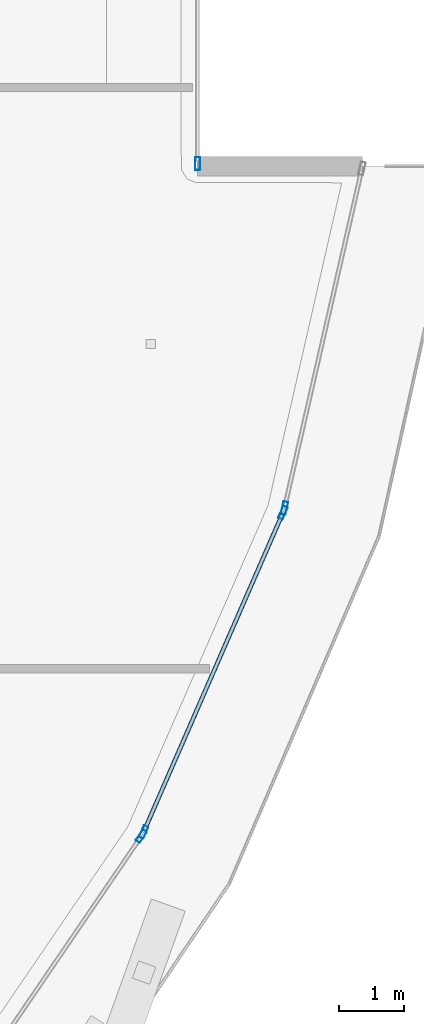
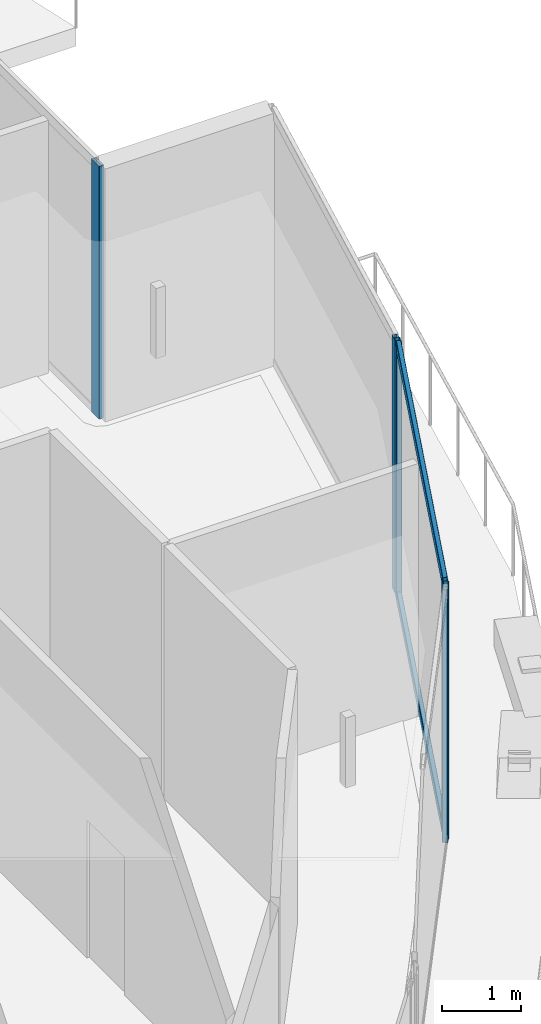
# One storey, part 12 of 36: 7 members, 4 elements without a shape of their own.
"""IFC4 building model written with IfcOpenShell, lengths in metres."""

from ifc_helpers import new_model, si_unit, direction, frame, origin, origin_2d, place, context, subcontext, project, spatial, hollow_rectangle, extrude, material, layer, layer_set, material_profile, profile_set, type_object, element, aggregate, save


model = new_model("IFC4")

# Units and contexts
model_context = context("Model", 3, precision=1e-05, world=origin(), true_north=direction((0.0, 1.0)))
body_context = subcontext(model_context, "Body", "Model", "MODEL_VIEW")
ifc_project = project(units=[si_unit("LENGTHUNIT", "METRE"), si_unit("AREAUNIT", "SQUARE_METRE"), si_unit("VOLUMEUNIT", "CUBIC_METRE"), si_unit("PLANEANGLEUNIT", "RADIAN"), si_unit("MASSUNIT", "GRAM", prefix="KILO")], contexts=[model_context])

# Site, building, storey
site_placement = place(None, origin())
site = spatial("IfcSite", under=ifc_project, at=site_placement, CompositionType="ELEMENT")
building_placement = place(site_placement, origin())
building = spatial("IfcBuilding", under=site, at=building_placement, Name="Qorvath Tower", CompositionType="ELEMENT")
storey_placement = place(building_placement, frame((0.0, 0.0, 272.39990234375)))
storey = spatial("IfcBuildingStorey", under=building, at=storey_placement, Name="L63", CompositionType="ELEMENT", Elevation=272.39990234375)

# Curtain wall, member
ifc_material_1 = material(Name="Anodised aluminium and triple low-E glass", Category="aluminium")
ifc_layer = layer(ifc_material_1, 0.179931640625)
ifc_layer_set = layer_set([ifc_layer], Name="CW-SYS-4")
curtain_wall_type = type_object("IfcCurtainWallType", Name="CW-SYS-4", PredefinedType="NOTDEFINED", material=ifc_layer_set)
curtain_wall_1_placement = place(storey_placement, origin())
curtain_wall_1 = element("IfcCurtainWall", 1, at=curtain_wall_1_placement, inside=storey, type_object=curtain_wall_type, Name="Curtain Wall CW-4 CW-T-L63-5.1", PredefinedType="NOTDEFINED")
ifc_material_2 = material(Name="Anodised aluminium 6063-T6", Category="aluminium")
ifc_material_profile_1 = material_profile(ifc_material_2, hollow_rectangle(XDim=0.074951171875, YDim=0.199951171875, WallThickness=0.00390625, InnerFilletRadius=0.00390625, OuterFilletRadius=0.008056640625, at=origin_2d()), Name="CWM 200x75")
ifc_profile_set_1 = profile_set([ifc_material_profile_1], Name="Anodised aluminium 6063-T6")
member_type_1 = type_object("IfcMemberType", Name="CWM-200", PredefinedType="MULLION", material=ifc_profile_set_1)
member_1_placement = place(storey_placement, frame((-5.402099609375, -14.059814453125, 0.0), z_axis=(0.0, 0.0, 1.0), x_axis=(-0.826318799643, 0.56320266455, 0.0)))
member_1 = element("IfcMember", 2, at=member_1_placement, type_object=member_type_1, Name="CW-4 mullion 2", PredefinedType="MULLION", context=body_context, shape_type="SweptSolid", body=[
    extrude(hollow_rectangle(XDim=0.074951171875, YDim=0.199951171875, WallThickness=0.00390625, InnerFilletRadius=0.00390625, OuterFilletRadius=0.008056640625, at=origin_2d()), origin(), (0.0, 0.0, 1.0), 3.91015625),
])
aggregate(curtain_wall_1, [member_1])

# Curtain wall, members
curtain_wall_2_placement = place(storey_placement, origin())
curtain_wall_2 = element("IfcCurtainWall", 3, at=curtain_wall_2_placement, inside=storey, type_object=curtain_wall_type, Name="Curtain Wall CW-4 CW-T-L63-6.1", PredefinedType="NOTDEFINED")
member_2_placement = place(storey_placement, frame((-5.365966796875, -13.994384765625, 0.0), z_axis=(0.0, 0.0, 1.0), x_axis=(-0.91655883173, 0.399899872441, 0.0)))
member_2 = element("IfcMember", 4, at=member_2_placement, type_object=member_type_1, Name="CW-4 mullion 1", PredefinedType="MULLION", context=body_context, shape_type="SweptSolid", body=[
    extrude(hollow_rectangle(XDim=0.074951171875, YDim=0.199951171875, WallThickness=0.00390625, InnerFilletRadius=0.00390625, OuterFilletRadius=0.008056640625, at=origin_2d()), origin(), (0.0, 0.0, 1.0), 3.91015625),
])
member_3_placement = place(storey_placement, frame((-3.231201171875, -9.10205078125, 0.0), z_axis=(0.0, 0.0, 1.0), x_axis=(-0.91655883173, 0.399899872441, 0.0)))
member_3 = element("IfcMember", 5, at=member_3_placement, type_object=member_type_1, Name="CW-4 mullion 2", PredefinedType="MULLION", context=body_context, shape_type="SweptSolid", body=[
    extrude(hollow_rectangle(XDim=0.074951171875, YDim=0.199951171875, WallThickness=0.00390625, InnerFilletRadius=0.00390625, OuterFilletRadius=0.008056640625, at=origin_2d()), origin(), (0.0, 0.0, 1.0), 3.91015625),
])

# Curtain wall, member
curtain_wall_3_placement = place(storey_placement, origin())
curtain_wall_3 = element("IfcCurtainWall", 6, at=curtain_wall_3_placement, inside=storey, type_object=curtain_wall_type, Name="Curtain Wall CW-4 CW-T-L63-7.1", PredefinedType="NOTDEFINED")
member_4_placement = place(storey_placement, frame((-3.2080078125, -9.031005859375, 0.0), z_axis=(0.0, 0.0, 1.0), x_axis=(-0.974911683446, 0.222592024744, 0.0)))
member_4 = element("IfcMember", 7, at=member_4_placement, type_object=member_type_1, Name="CW-4 mullion 1", PredefinedType="MULLION", context=body_context, shape_type="SweptSolid", body=[
    extrude(hollow_rectangle(XDim=0.074951171875, YDim=0.199951171875, WallThickness=0.00390625, InnerFilletRadius=0.00390625, OuterFilletRadius=0.008056640625, at=origin_2d()), origin(), (0.0, 0.0, 1.0), 3.91015625),
])
aggregate(curtain_wall_3, [member_4])

curtain_wall_4_placement = place(storey_placement, origin())
curtain_wall_4 = element("IfcCurtainWall", 8, at=curtain_wall_4_placement, inside=storey, type_object=curtain_wall_type, Name="Curtain Wall CW-4 CW-T-L63-9.1", PredefinedType="NOTDEFINED")
member_5_placement = place(storey_placement, frame((-4.538818359375, -3.75341796875, 0.0), z_axis=(0.0, 0.0, 1.0), x_axis=(-1.0, 0.0, 0.0)))
member_5 = element("IfcMember", 9, at=member_5_placement, type_object=member_type_1, Name="CW-4 mullion 1", PredefinedType="MULLION", context=body_context, shape_type="SweptSolid", body=[
    extrude(hollow_rectangle(XDim=0.074951171875, YDim=0.199951171875, WallThickness=0.00390625, InnerFilletRadius=0.00390625, OuterFilletRadius=0.008056640625, at=origin_2d()), origin(), (0.0, 0.0, 1.0), 3.91015625),
])
aggregate(curtain_wall_4, [member_5])

# Member
ifc_material_3 = material(Name="Anodised aluminium 6063-T6", Category="aluminium")
ifc_material_profile_2 = material_profile(ifc_material_3, hollow_rectangle(XDim=0.06494140625, YDim=0.159912109375, WallThickness=0.00341796875, InnerFilletRadius=0.00341796875, OuterFilletRadius=0.007080078125, at=origin_2d()), Name="CWT 160x65")
ifc_profile_set_2 = profile_set([ifc_material_profile_2], Name="Anodised aluminium 6063-T6")
member_type_2 = type_object("IfcMemberType", Name="CWT-160", PredefinedType="USERDEFINED", material=ifc_profile_set_2)
member_6_placement = place(storey_placement, frame((-5.350830078125, -13.9599609375, 0.032470703125), z_axis=(0.399879269802, 0.916567820504, 0.0), x_axis=(-0.916567820504, 0.399879269802, 0.0)))
member_6 = element("IfcMember", 10, at=member_6_placement, type_object=member_type_2, Name="CW-4 transom 1.1", ObjectType="TRANSOM", PredefinedType="USERDEFINED", context=body_context, shape_type="SweptSolid", body=[
    extrude(hollow_rectangle(XDim=0.06494140625, YDim=0.159912109375, WallThickness=0.00341796875, InnerFilletRadius=0.00341796875, OuterFilletRadius=0.007080078125, at=origin_2d()), origin(), (0.0, 0.0, 1.0), 5.262939453125),
])

member_7_placement = place(storey_placement, frame((-5.350830078125, -13.9599609375, 3.877685546875), z_axis=(0.399879269802, 0.916567820504, 0.0), x_axis=(-0.916567820504, 0.399879269802, 0.0)))
member_7 = element("IfcMember", 11, at=member_7_placement, type_object=member_type_2, Name="CW-4 transom 1.2", ObjectType="TRANSOM", PredefinedType="USERDEFINED", context=body_context, shape_type="SweptSolid", body=[
    extrude(hollow_rectangle(XDim=0.06494140625, YDim=0.159912109375, WallThickness=0.00341796875, InnerFilletRadius=0.00341796875, OuterFilletRadius=0.007080078125, at=origin_2d()), origin(), (0.0, 0.0, 1.0), 5.262939453125),
])

aggregate(curtain_wall_2, [member_2, member_3, member_6, member_7])

save(model, "model.ifc")
